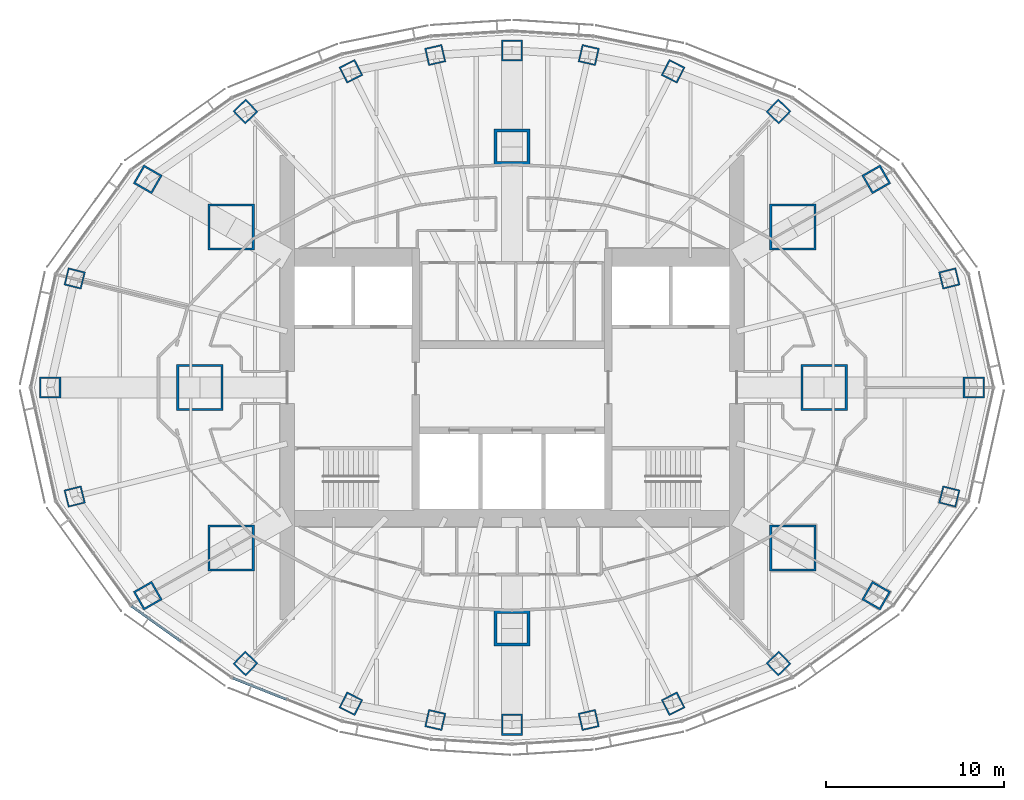
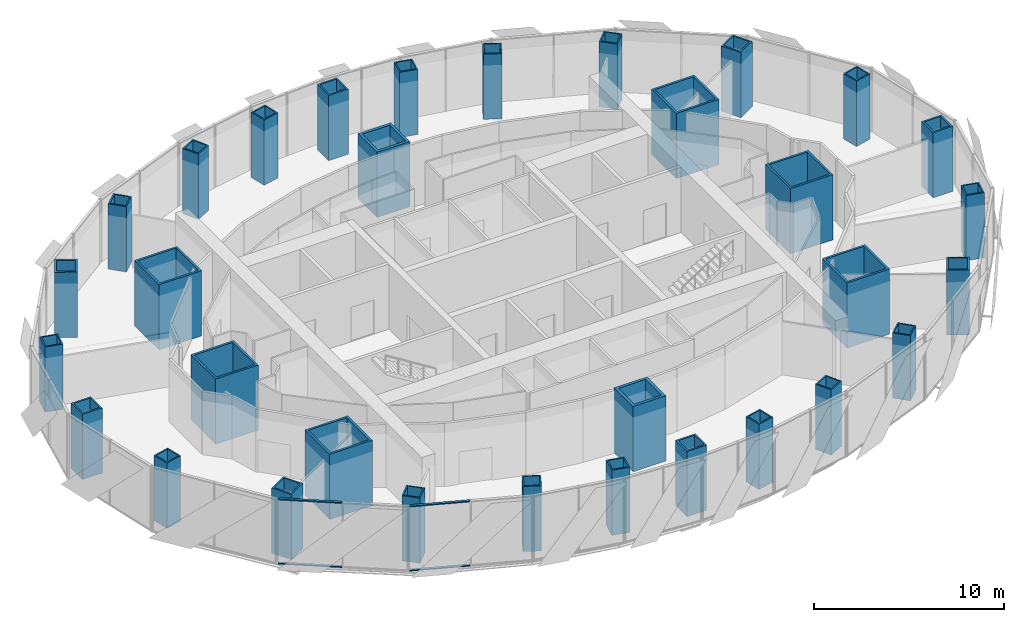
# One storey, part 1 of 17: 32 columns, 4 members, 2 elements without a shape of their own.
"""IFC4 building model written with IfcOpenShell, lengths in metres."""

from ifc_helpers import new_model, si_unit, direction, frame, origin, origin_2d, place, context, subcontext, project, spatial, rectangle, hollow_rectangle, extrude, material, material_profile, profile_set, type_object, element, aggregate, save


model = new_model("IFC4")

# Units and contexts
model_context = context("Model", 3, precision=1e-05, world=origin(), true_north=direction((0.0, 1.0)))
body_context = subcontext(model_context, "Body", "Model", "MODEL_VIEW")
ifc_project = project(units=[si_unit("LENGTHUNIT", "METRE"), si_unit("AREAUNIT", "SQUARE_METRE"), si_unit("VOLUMEUNIT", "CUBIC_METRE"), si_unit("PLANEANGLEUNIT", "RADIAN"), si_unit("MASSUNIT", "GRAM", prefix="KILO")], contexts=[model_context])

# Site, building, storey
site_placement = place(None, origin())
site = spatial("IfcSite", under=ifc_project, at=site_placement, CompositionType="ELEMENT")
building_placement = place(site_placement, origin())
building = spatial("IfcBuilding", under=site, at=building_placement, Name="Lantaw Convention Tower", CompositionType="ELEMENT")
storey_placement = place(building_placement, frame((0.0, 0.0, 203.199951171875)))
storey = spatial("IfcBuildingStorey", under=building, at=storey_placement, Name="L47", CompositionType="ELEMENT", Elevation=203.199951171875)

# Columns
ifc_material_1 = material(Name="Steel EN 10025-3 S460N", Category="steel")
ifc_material_profile_1 = material_profile(ifc_material_1, hollow_rectangle(XDim=2.0, YDim=2.0, WallThickness=0.169921875, at=origin_2d()), Name="BOX2000X170")
ifc_material_2 = material(Name="Concrete C60/75", Category="concrete")
ifc_material_profile_2 = material_profile(ifc_material_2, rectangle(XDim=1.659912109375, YDim=1.659912109375, at=origin_2d()), Name="Concrete fill of BOX2000X170")
ifc_profile_set_1 = profile_set([ifc_material_profile_1, ifc_material_profile_2], Name="Steel EN 10025-3 S460N")
column_type_1 = type_object("IfcColumnType", Name="Column MC BOX2000X170", PredefinedType="COLUMN", material=ifc_profile_set_1)
for number, where, z_axis, x_axis, name in (
    (1, (0.0, 13.5, 0.0), (0.0, 0.0, 1.0), (1.0, 0.0, 0.0), "Mega column M3"),
    (2, (0.0, -13.5, 0.0), (0.0, 0.0, 1.0), (1.0, 0.0, 0.0), "Mega column M7"),
):
    element("IfcColumn", number, at=place(storey_placement, frame(where, z_axis=z_axis, x_axis=x_axis)), inside=storey, type_object=column_type_1, Name=name, PredefinedType="COLUMN", context=body_context, shape_type="SweptSolid", body=[
        extrude(hollow_rectangle(XDim=2.0, YDim=2.0, WallThickness=0.169921875, at=origin_2d()), origin(), (0.0, 0.0, 1.0), 4.199951171875),
    ])
ifc_material_profile_3 = material_profile(ifc_material_1, hollow_rectangle(XDim=2.60009765625, YDim=2.60009765625, WallThickness=0.1298828125, at=origin_2d()), Name="BOX2600X130")
ifc_material_profile_4 = material_profile(ifc_material_2, rectangle(XDim=2.340087890625, YDim=2.340087890625, at=origin_2d()), Name="Concrete fill of BOX2600X130")
ifc_profile_set_2 = profile_set([ifc_material_profile_3, ifc_material_profile_4], Name="Steel EN 10025-3 S460N")
column_type_2 = type_object("IfcColumnType", Name="Column MC BOX2600X130", PredefinedType="COLUMN", material=ifc_profile_set_2)
for number, where, z_axis, x_axis, name in (
    (3, (17.5, 0.0, 0.0), (0.0, 0.0, 1.0), (1.0, 0.0, 0.0), "Mega column M1"),
    (4, (15.75, 9.0, 0.0), (0.0, 0.0, 1.0), (1.0, 0.0, 0.0), "Mega column M2"),
    (5, (-15.75, 9.0, 0.0), (0.0, 0.0, 1.0), (1.0, 0.0, 0.0), "Mega column M4"),
    (6, (-17.5, 0.0, 0.0), (0.0, 0.0, 1.0), (1.0, 0.0, 0.0), "Mega column M5"),
    (7, (-15.75, -9.0, 0.0), (0.0, 0.0, 1.0), (1.0, 0.0, 0.0), "Mega column M6"),
    (8, (15.75, -9.0, 0.0), (0.0, 0.0, 1.0), (1.0, 0.0, 0.0), "Mega column M8"),
):
    element("IfcColumn", number, at=place(storey_placement, frame(where, z_axis=z_axis, x_axis=x_axis)), inside=storey, type_object=column_type_2, Name=name, PredefinedType="COLUMN", context=body_context, shape_type="SweptSolid", body=[
        extrude(hollow_rectangle(XDim=2.60009765625, YDim=2.60009765625, WallThickness=0.1298828125, at=origin_2d()), origin(), (0.0, 0.0, 1.0), 4.199951171875),
    ])
ifc_material_3 = material(Name="Steel ASTM A572 Grade 50", Category="steel")
ifc_material_profile_5 = material_profile(ifc_material_3, hollow_rectangle(XDim=1.0, YDim=1.0, WallThickness=0.080078125, at=origin_2d()), Name="BOX1000X80")
ifc_material_profile_6 = material_profile(ifc_material_2, rectangle(XDim=0.840087890625, YDim=0.840087890625, at=origin_2d()), Name="Concrete fill of BOX1000X80")
ifc_profile_set_3 = profile_set([ifc_material_profile_5, ifc_material_profile_6], Name="Steel ASTM A572 Grade 50")
column_type_3 = type_object("IfcColumnType", Name="Column PC BOX1000X80", PredefinedType="COLUMN", material=ifc_profile_set_3)
for number, where, z_axis, x_axis, name in (
    (9, (24.52197265625, 6.114013671875, 0.0), (0.0, 0.0, 1.0), (0.970295726276, 0.2419218956, 0.0), "Perimeter column P2"),
    (10, (14.9443359375, 15.475341796875, 0.0), (0.0, 0.0, 1.0), (0.694658370459, 0.719339800339, 0.0), "Perimeter column P4"),
    (11, (9.03466796875, 17.7314453125, 0.0), (0.0, 0.0, 1.0), (0.45399049974, 0.891006524188, 0.0), "Perimeter column P5"),
    (12, (4.303955078125, 18.64208984375, 0.0), (0.0, 0.0, 1.0), (0.224951054344, 0.974370064785, 0.0), "Perimeter column P6"),
    (13, (-4.303955078125, 18.64208984375, 0.0), (0.0, 0.0, 1.0), (0.974370064785, 0.224951054344, 0.0), "Perimeter column P8"),
    (14, (-9.03466796875, 17.7314453125, 0.0), (0.0, 0.0, 1.0), (0.891006524188, 0.45399049974, 0.0), "Perimeter column P9"),
    (15, (-14.9443359375, 15.475341796875, 0.0), (0.0, 0.0, 1.0), (0.719339800339, 0.694658370459, 0.0), "Perimeter column P10"),
    (16, (-24.52197265625, 6.114013671875, 0.0), (0.0, 0.0, 1.0), (0.2419218956, 0.970295726276, 0.0), "Perimeter column P12"),
    (17, (-24.52197265625, -6.114013671875, 0.0), (0.0, 0.0, 1.0), (0.970295726276, 0.2419218956, 0.0), "Perimeter column P14"),
    (18, (-14.9443359375, -15.475341796875, 0.0), (0.0, 0.0, 1.0), (0.694658370459, 0.719339800339, 0.0), "Perimeter column P16"),
    (19, (-9.03466796875, -17.7314453125, 0.0), (0.0, 0.0, 1.0), (0.45399049974, 0.891006524188, 0.0), "Perimeter column P17"),
    (20, (-4.303955078125, -18.64208984375, 0.0), (0.0, 0.0, 1.0), (0.224951054344, 0.974370064785, 0.0), "Perimeter column P18"),
    (21, (4.303955078125, -18.64208984375, 0.0), (0.0, 0.0, 1.0), (0.974370064785, 0.224951054344, 0.0), "Perimeter column P20"),
    (22, (9.03466796875, -17.7314453125, 0.0), (0.0, 0.0, 1.0), (0.891006524188, 0.45399049974, 0.0), "Perimeter column P21"),
    (23, (14.9443359375, -15.475341796875, 0.0), (0.0, 0.0, 1.0), (0.719339800339, 0.694658370459, 0.0), "Perimeter column P22"),
    (24, (24.52197265625, -6.114013671875, 0.0), (0.0, 0.0, 1.0), (0.2419218956, 0.970295726276, 0.0), "Perimeter column P24"),
):
    element("IfcColumn", number, at=place(storey_placement, frame(where, z_axis=z_axis, x_axis=x_axis)), inside=storey, type_object=column_type_3, Name=name, PredefinedType="COLUMN", context=body_context, shape_type="SweptSolid", body=[
        extrude(hollow_rectangle(XDim=1.0, YDim=1.0, WallThickness=0.080078125, at=origin_2d()), origin(), (0.0, 0.0, 1.0), 4.199951171875),
    ])
ifc_material_profile_7 = material_profile(ifc_material_1, hollow_rectangle(XDim=1.199951171875, YDim=1.199951171875, WallThickness=0.10009765625, at=origin_2d()), Name="BOX1200X100")
ifc_material_profile_8 = material_profile(ifc_material_2, rectangle(XDim=1.0, YDim=1.0, at=origin_2d()), Name="Concrete fill of BOX1200X100")
ifc_profile_set_4 = profile_set([ifc_material_profile_7, ifc_material_profile_8], Name="Steel EN 10025-3 S460N")
column_type_4 = type_object("IfcColumnType", Name="Column PC BOX1200X100", PredefinedType="COLUMN", material=ifc_profile_set_4)
for number, where, z_axis, x_axis, name in (
    (25, (25.89990234375, 0.0, 0.0), (0.0, 0.0, 1.0), (1.0, 0.0, 0.0), "Perimeter column P1"),
    (26, (20.423095703125, 11.67041015625, 0.0), (0.0, 0.0, 1.0), (0.86824298017, 0.496139221777, 0.0), "Perimeter column P3"),
    (27, (0.0, 18.89990234375, 0.0), (0.0, 0.0, 1.0), (1.0, 0.0, 0.0), "Perimeter column P7"),
    (28, (-20.423095703125, 11.67041015625, 0.0), (0.0, 0.0, 1.0), (0.496139221777, 0.86824298017, 0.0), "Perimeter column P11"),
    (29, (-25.89990234375, 0.0, 0.0), (0.0, 0.0, 1.0), (1.0, 0.0, 0.0), "Perimeter column P13"),
    (30, (-20.423095703125, -11.67041015625, 0.0), (0.0, 0.0, 1.0), (0.86824298017, 0.496139221777, 0.0), "Perimeter column P15"),
    (31, (0.0, -18.89990234375, 0.0), (0.0, 0.0, 1.0), (1.0, 0.0, 0.0), "Perimeter column P19"),
    (32, (20.423095703125, -11.67041015625, 0.0), (0.0, 0.0, 1.0), (0.496139221777, 0.86824298017, 0.0), "Perimeter column P23"),
):
    element("IfcColumn", number, at=place(storey_placement, frame(where, z_axis=z_axis, x_axis=x_axis)), inside=storey, type_object=column_type_4, Name=name, PredefinedType="COLUMN", context=body_context, shape_type="SweptSolid", body=[
        extrude(hollow_rectangle(XDim=1.199951171875, YDim=1.199951171875, WallThickness=0.10009765625, at=origin_2d()), origin(), (0.0, 0.0, 1.0), 4.199951171875),
    ])

# Curtain wall, members
ifc_material_4 = material(Name="Aluminium framed curtain wall", Category="aluminium")
curtain_wall_type = type_object("IfcCurtainWallType", Name="Office curtain wall high rise, pale aluminium", PredefinedType="USERDEFINED", material=ifc_material_4)
curtain_wall_1_placement = place(storey_placement, origin())
curtain_wall_1 = element("IfcCurtainWall", 33, at=curtain_wall_1_placement, inside=storey, type_object=curtain_wall_type, Name="Office curtain wall high rise, pale aluminium L47", ObjectType="UNITISED CURTAIN WALL", PredefinedType="USERDEFINED")
ifc_material_5 = material(Name="Aluminium 6063-T6", Category="aluminium")
ifc_material_profile_9 = material_profile(ifc_material_5, rectangle(XDim=0.14990234375, YDim=0.06494140625, at=origin_2d()), Name="CW-O2 transom 65x150")
ifc_profile_set_5 = profile_set([ifc_material_profile_9], Name="Aluminium 6063-T6")
member_type = type_object("IfcMemberType", Name="CW-O2 transom 65x150", PredefinedType="USERDEFINED", material=ifc_profile_set_5)
member_1_placement = place(storey_placement, frame((-21.3251953125, -12.25390625, -0.117431640625), z_axis=(0.813679882592, -0.581313210468, 0.0), x_axis=(0.581313210468, 0.813679882592, 0.0)))
member_1 = element("IfcMember", 34, at=member_1_placement, type_object=member_type, Name="CW-O2 transom 1.1", ObjectType="TRANSOM", PredefinedType="USERDEFINED", context=body_context, shape_type="SweptSolid", body=[
    extrude(rectangle(XDim=0.14990234375, YDim=0.06494140625, at=origin_2d()), origin(), (0.0, 0.0, 1.0), 3.38623046875),
])
member_2_placement = place(storey_placement, frame((-21.3251953125, -12.25390625, 4.017578125), z_axis=(0.813679882592, -0.581313210468, 0.0), x_axis=(0.581313210468, 0.813679882592, 0.0)))
member_2 = element("IfcMember", 35, at=member_2_placement, type_object=member_type, Name="CW-O2 transom 1.2", ObjectType="TRANSOM", PredefinedType="USERDEFINED", context=body_context, shape_type="SweptSolid", body=[
    extrude(rectangle(XDim=0.14990234375, YDim=0.06494140625, at=origin_2d()), origin(), (0.0, 0.0, 1.0), 3.38623046875),
])
aggregate(curtain_wall_1, [member_1, member_2])

curtain_wall_2_placement = place(storey_placement, origin())
curtain_wall_2 = element("IfcCurtainWall", 36, at=curtain_wall_2_placement, inside=storey, type_object=curtain_wall_type, Name="Office curtain wall high rise, pale aluminium L47", ObjectType="UNITISED CURTAIN WALL", PredefinedType="USERDEFINED")
member_3_placement = place(storey_placement, frame((-15.648193359375, -16.29052734375, -0.117431640625), z_axis=(0.929740712354, -0.368214893495, 0.0), x_axis=(0.368214893495, 0.929740712354, 0.0)))
member_3 = element("IfcMember", 37, at=member_3_placement, type_object=member_type, Name="CW-O2 transom 1.1", ObjectType="TRANSOM", PredefinedType="USERDEFINED", context=body_context, shape_type="SweptSolid", body=[
    extrude(rectangle(XDim=0.14990234375, YDim=0.06494140625, at=origin_2d()), origin(), (0.0, 0.0, 1.0), 3.22314453125),
])
member_4_placement = place(storey_placement, frame((-15.648193359375, -16.29052734375, 4.017578125), z_axis=(0.929740712354, -0.368214893495, 0.0), x_axis=(0.368214893495, 0.929740712354, 0.0)))
member_4 = element("IfcMember", 38, at=member_4_placement, type_object=member_type, Name="CW-O2 transom 1.2", ObjectType="TRANSOM", PredefinedType="USERDEFINED", context=body_context, shape_type="SweptSolid", body=[
    extrude(rectangle(XDim=0.14990234375, YDim=0.06494140625, at=origin_2d()), origin(), (0.0, 0.0, 1.0), 3.22314453125),
])
aggregate(curtain_wall_2, [member_3, member_4])

save(model, "model.ifc")
